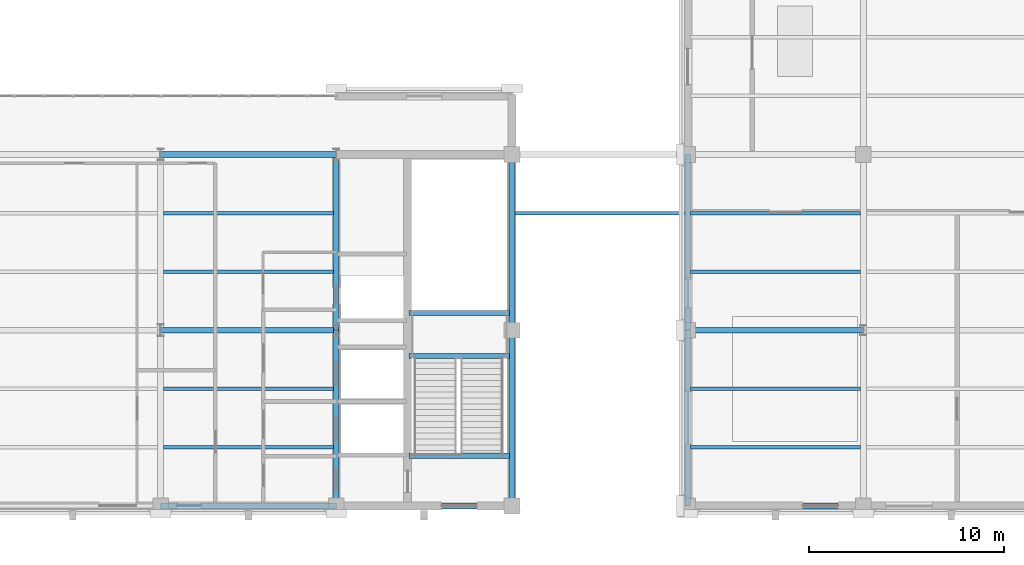
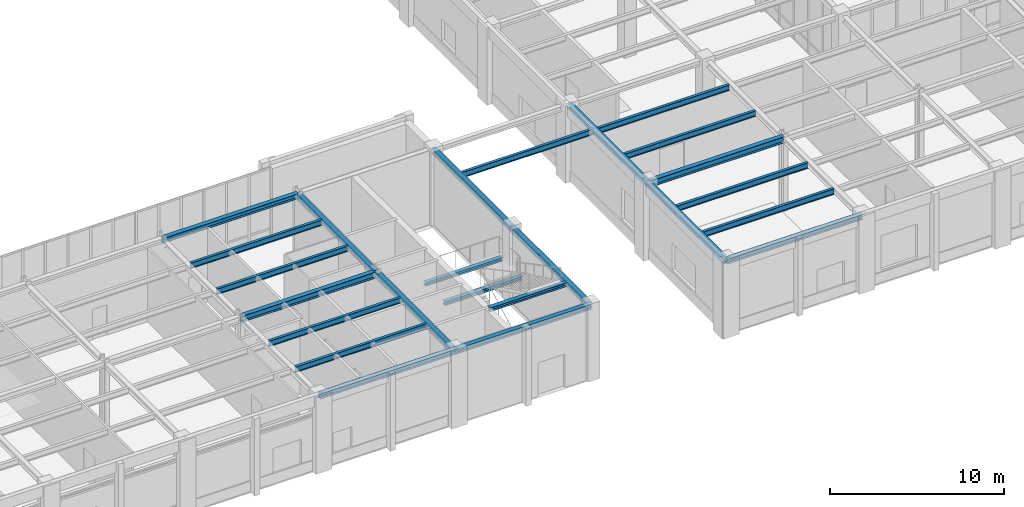
# One storey, part 29 of 77: 24 beams.
"""IFC4 building model written with IfcOpenShell, lengths in metres."""

from ifc_helpers import new_model, si_unit, direction, frame, origin, origin_2d, place, context, subcontext, project, spatial, i_section, extrude, material, material_profile, profile_set, type_object, element, save


model = new_model("IFC4")

# Units and contexts
model_context = context("Model", 3, precision=1e-05, world=origin(), true_north=direction((0.0, 1.0)))
body_context = subcontext(model_context, "Body", "Model", "MODEL_VIEW")
ifc_project = project(units=[si_unit("LENGTHUNIT", "METRE"), si_unit("AREAUNIT", "SQUARE_METRE"), si_unit("VOLUMEUNIT", "CUBIC_METRE"), si_unit("PLANEANGLEUNIT", "RADIAN"), si_unit("MASSUNIT", "GRAM", prefix="KILO")], contexts=[model_context])

# Site, building, storey
site_placement = place(None, origin())
site = spatial("IfcSite", under=ifc_project, at=site_placement, CompositionType="ELEMENT")
building_placement = place(site_placement, origin())
building = spatial("IfcBuilding", under=site, at=building_placement, Name="Lykobir Media Centre", CompositionType="ELEMENT")
storey_placement = place(building_placement, origin())
storey = spatial("IfcBuildingStorey", under=building, at=storey_placement, Name="L00", CompositionType="ELEMENT", Elevation=0.0)

# Beams
ifc_material = material(Name="Steel S355", Category="steel")
ifc_material_profile_1 = material_profile(ifc_material, i_section(OverallWidth=0.300048828125, OverallDepth=0.389892578125, WebThickness=0.010986328125, FlangeThickness=0.01904296875, at=origin_2d()), Name="HEA 400")
ifc_profile_set_1 = profile_set([ifc_material_profile_1], Name="Steel S355")
beam_type_1 = type_object("IfcBeamType", Name="BM-HEA400", PredefinedType="BEAM", material=ifc_profile_set_1)
for number, where, z_axis, x_axis, name in (
    (1, (72.0, 0.0, 4.965087890625), (0.0, 1.0, 0.0), (-1.0, 0.0, 0.0), "Beam BM-L00-0720-0000-0720-0090-496"),
    (2, (72.0, 9.0, 4.965087890625), (0.0, 1.0, 0.0), (-1.0, 0.0, 0.0), "Beam BM-L00-0720-0090-0720-0180-496"),
):
    element("IfcBeam", number, at=place(storey_placement, frame(where, z_axis=z_axis, x_axis=x_axis)), inside=storey, type_object=beam_type_1, Name=name, PredefinedType="BEAM", context=body_context, shape_type="SweptSolid", body=[
        extrude(i_section(OverallWidth=0.300048828125, OverallDepth=0.389892578125, WebThickness=0.010986328125, FlangeThickness=0.01904296875, at=origin_2d()), origin(), (0.0, 0.0, 1.0), 9.0),
    ])
ifc_material_profile_2 = material_profile(ifc_material, i_section(OverallWidth=0.300048828125, OverallDepth=0.43994140625, WebThickness=0.011474609375, FlangeThickness=0.02099609375, at=origin_2d()), Name="HEA 450")
ifc_profile_set_2 = profile_set([ifc_material_profile_2], Name="Steel S355")
beam_type_2 = type_object("IfcBeamType", Name="BM-HEA450", PredefinedType="BEAM", material=ifc_profile_set_2)
for number, where, z_axis, x_axis, name in (
    (3, (63.0, 9.0, 4.93994140625), (1.0, 0.0, 0.0), (0.0, 1.0, 0.0), "Beam BM-L00-0630-0090-0720-0090-494"),
    (4, (90.0, 9.0, 4.93994140625), (1.0, 0.0, 0.0), (0.0, 1.0, 0.0), "Beam BM-L00-0900-0090-0990-0090-494"),
):
    element("IfcBeam", number, at=place(storey_placement, frame(where, z_axis=z_axis, x_axis=x_axis)), inside=storey, type_object=beam_type_2, Name=name, PredefinedType="BEAM", context=body_context, shape_type="SweptSolid", body=[
        extrude(i_section(OverallWidth=0.300048828125, OverallDepth=0.43994140625, WebThickness=0.011474609375, FlangeThickness=0.02099609375, at=origin_2d()), origin(), (0.0, 0.0, 1.0), 9.0),
    ])
ifc_material_profile_3 = material_profile(ifc_material, i_section(OverallWidth=0.260009765625, OverallDepth=0.25, WebThickness=0.007568359375, FlangeThickness=0.012451171875, at=origin_2d()), Name="HEA 260")
ifc_profile_set_3 = profile_set([ifc_material_profile_3], Name="Steel S355")
beam_type_3 = type_object("IfcBeamType", Name="BM-ST260", PredefinedType="BEAM", material=ifc_profile_set_3)
beam_1_placement = place(storey_placement, frame((75.72998046875, 9.8798828125, 2.3798828125), z_axis=(1.0, 0.0, 0.0), x_axis=(0.0, 1.0, 0.0)))
element("IfcBeam", 5, at=beam_1_placement, inside=storey, type_object=beam_type_3, Name="ST-2 L00 half-landing support beam", PredefinedType="BEAM", context=body_context, shape_type="SweptSolid", body=[
    extrude(i_section(OverallWidth=0.260009765625, OverallDepth=0.25, WebThickness=0.007568359375, FlangeThickness=0.012451171875, at=origin_2d()), origin(), (0.0, 0.0, 1.0), 5.14013671875),
])
ifc_material_profile_4 = material_profile(ifc_material, i_section(OverallWidth=0.280029296875, OverallDepth=0.27001953125, WebThickness=0.008056640625, FlangeThickness=0.012939453125, at=origin_2d()), Name="HEA 280")
ifc_profile_set_4 = profile_set([ifc_material_profile_4], Name="Steel S355")
beam_type_4 = type_object("IfcBeamType", Name="BM-ST280", PredefinedType="BEAM", material=ifc_profile_set_4)
for number, where, z_axis, x_axis, name in (
    (6, (75.72998046875, 2.580078125, 5.02490234375), (1.0, 0.0, 0.0), (0.0, 1.0, 0.0), "ST-2 L00 arrival trimmer beam"),
    (7, (75.72998046875, 7.679931640625, 2.3701171875), (1.0, 0.0, 0.0), (0.0, 1.0, 0.0), "ST-2 L00 mid-landing trimmer beam"),
):
    element("IfcBeam", number, at=place(storey_placement, frame(where, z_axis=z_axis, x_axis=x_axis)), inside=storey, type_object=beam_type_4, Name=name, PredefinedType="BEAM", context=body_context, shape_type="SweptSolid", body=[
        extrude(i_section(OverallWidth=0.280029296875, OverallDepth=0.27001953125, WebThickness=0.008056640625, FlangeThickness=0.012939453125, at=origin_2d()), origin(), (0.0, 0.0, 1.0), 5.14013671875),
    ])
ifc_material_profile_5 = material_profile(ifc_material, i_section(OverallWidth=0.179931640625, OverallDepth=0.39990234375, WebThickness=0.008544921875, FlangeThickness=0.013427734375, at=origin_2d()), Name="IPE 400")
ifc_profile_set_5 = profile_set([ifc_material_profile_5], Name="Steel S355")
beam_type_5 = type_object("IfcBeamType", Name="JS-IPE400", PredefinedType="JOIST", material=ifc_profile_set_5)
for number, where, z_axis, x_axis, name in (
    (8, (63.14990234375, 3.0, 4.9599609375), (1.0, 0.0, 0.0), (0.0, 1.0, 0.0), "Beam BM-L00-0632-0030-0718-0030-496"),
    (9, (63.14990234375, 6.0, 4.9599609375), (1.0, 0.0, 0.0), (0.0, 1.0, 0.0), "Beam BM-L00-0632-0060-0718-0060-496"),
    (10, (63.14990234375, 12.0, 4.9599609375), (1.0, 0.0, 0.0), (0.0, 1.0, 0.0), "Beam BM-L00-0632-0120-0718-0120-496"),
    (11, (63.14990234375, 15.0, 4.9599609375), (1.0, 0.0, 0.0), (0.0, 1.0, 0.0), "Beam BM-L00-0632-0150-0718-0150-496"),
    (12, (81.14990234375, 15.0, 5.02001953125), (1.0, 0.0, 0.0), (0.0, 1.0, 0.0), "Beam BM-L00-0812-0150-0898-0150-502"),
    (13, (90.14990234375, 3.0, 4.9599609375), (1.0, 0.0, 0.0), (0.0, 1.0, 0.0), "Beam BM-L00-0902-0030-0988-0030-496"),
    (14, (90.14990234375, 6.0, 4.9599609375), (1.0, 0.0, 0.0), (0.0, 1.0, 0.0), "Beam BM-L00-0902-0060-0988-0060-496"),
    (15, (90.14990234375, 12.0, 4.9599609375), (1.0, 0.0, 0.0), (0.0, 1.0, 0.0), "Beam BM-L00-0902-0120-0988-0120-496"),
    (16, (90.14990234375, 15.0, 4.9599609375), (1.0, 0.0, 0.0), (0.0, 1.0, 0.0), "Beam BM-L00-0902-0150-0988-0150-496"),
):
    element("IfcBeam", number, at=place(storey_placement, frame(where, z_axis=z_axis, x_axis=x_axis)), inside=storey, type_object=beam_type_5, Name=name, PredefinedType="JOIST", context=body_context, shape_type="SweptSolid", body=[
        extrude(i_section(OverallWidth=0.179931640625, OverallDepth=0.39990234375, WebThickness=0.008544921875, FlangeThickness=0.013427734375, at=origin_2d()), origin(), (0.0, 0.0, 1.0), 8.7001953125),
    ])
ifc_material_profile_6 = material_profile(ifc_material, i_section(OverallWidth=0.300048828125, OverallDepth=0.35009765625, WebThickness=0.010009765625, FlangeThickness=0.017578125, at=origin_2d()), Name="HEA 360")
ifc_profile_set_6 = profile_set([ifc_material_profile_6], Name="Steel S355")
beam_type_6 = type_object("IfcBeamType", Name="SP-HEA360", PredefinedType="SPANDREL", material=ifc_profile_set_6)
beam_2_placement = place(storey_placement, frame((63.0, 18.0, 4.985107421875), z_axis=(1.0, 0.0, 0.0), x_axis=(0.0, 1.0, 0.0)))
element("IfcBeam", 17, at=beam_2_placement, inside=storey, type_object=beam_type_6, Name="Beam BM-L00-0630-0180-0720-0180-499", PredefinedType="SPANDREL", context=body_context, shape_type="SweptSolid", body=[
    extrude(i_section(OverallWidth=0.300048828125, OverallDepth=0.35009765625, WebThickness=0.010009765625, FlangeThickness=0.017578125, at=origin_2d()), origin(), (0.0, 0.0, 1.0), 9.0),
])
ifc_material_profile_7 = material_profile(ifc_material, i_section(OverallWidth=0.300048828125, OverallDepth=0.35009765625, WebThickness=0.010009765625, FlangeThickness=0.017578125, at=origin_2d()), Name="HEA 360")
ifc_profile_set_7 = profile_set([ifc_material_profile_7], Name="Steel S355")
beam_type_7 = type_object("IfcBeamType", Name="SP-HEA360-E", PredefinedType="SPANDREL", material=ifc_profile_set_7)
for number, where, z_axis, x_axis, name in (
    (18, (63.0, 0.0, 4.985107421875), (1.0, 0.0, 0.0), (0.0, 1.0, 0.0), "Beam BM-L00-0630-0000-0720-0000-499"),
    (19, (72.0, 0.0, 4.985107421875), (1.0, 0.0, 0.0), (0.0, 1.0, 0.0), "Beam BM-L00-0720-0000-0810-0000-499"),
    (20, (90.0, 0.0, 4.985107421875), (1.0, 0.0, 0.0), (0.0, 1.0, 0.0), "Beam BM-L00-0900-0000-0990-0000-499"),
    (21, (81.0, 0.0, 4.985107421875), (0.0, 1.0, 0.0), (-1.0, 0.0, 0.0), "Beam BM-L00-0810-0000-0810-0090-499"),
    (22, (81.0, 9.0, 4.985107421875), (0.0, 1.0, 0.0), (-1.0, 0.0, 0.0), "Beam BM-L00-0810-0090-0810-0180-499"),
    (23, (90.0, 0.0, 4.985107421875), (0.0, 1.0, 0.0), (-1.0, 0.0, 0.0), "Beam BM-L00-0900-0000-0900-0090-499"),
    (24, (90.0, 9.0, 4.985107421875), (0.0, 1.0, 0.0), (-1.0, 0.0, 0.0), "Beam BM-L00-0900-0090-0900-0180-499"),
):
    element("IfcBeam", number, at=place(storey_placement, frame(where, z_axis=z_axis, x_axis=x_axis)), inside=storey, type_object=beam_type_7, Name=name, PredefinedType="SPANDREL", context=body_context, shape_type="SweptSolid", body=[
        extrude(i_section(OverallWidth=0.300048828125, OverallDepth=0.35009765625, WebThickness=0.010009765625, FlangeThickness=0.017578125, at=origin_2d()), origin(), (0.0, 0.0, 1.0), 9.0),
    ])

save(model, "model.ifc")
